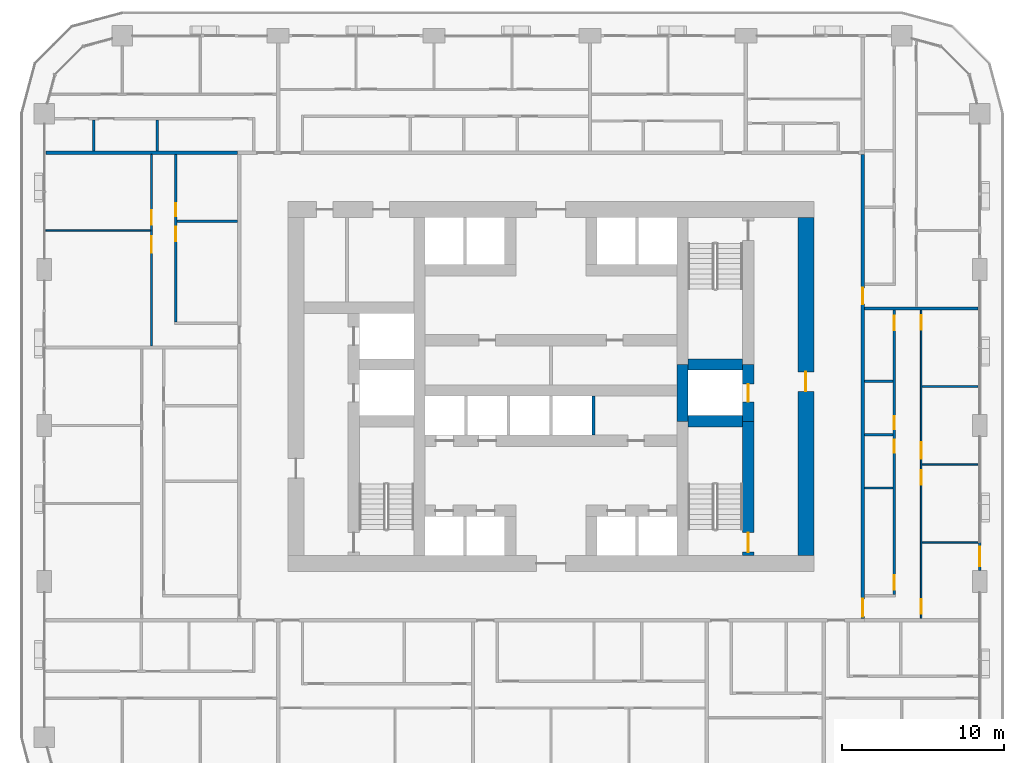
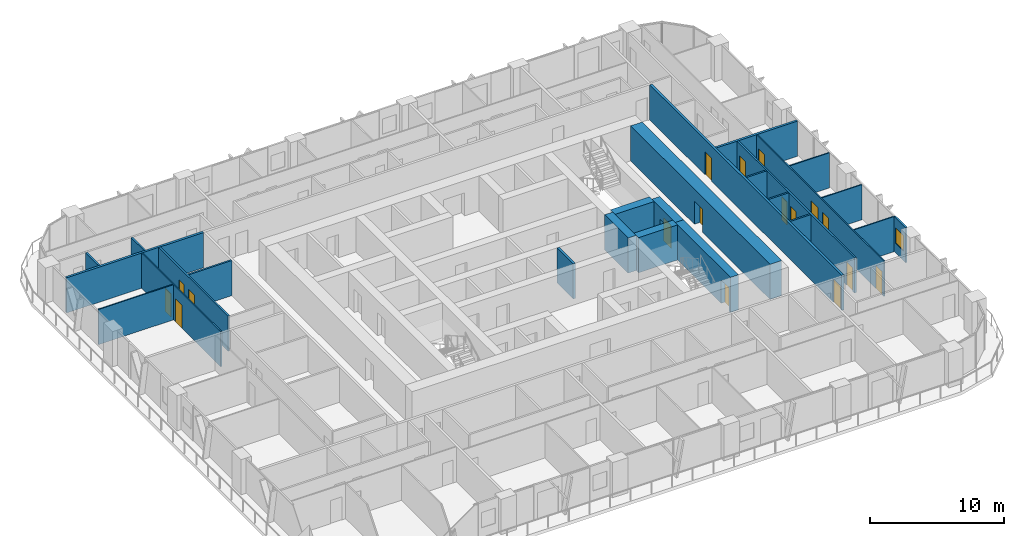
# One storey, part 12 of 21: 25 walls, 17 doors, 1 window, 18 openings.
"""IFC4 building model written with IfcOpenShell, lengths in metres."""

from ifc_helpers import new_model, si_unit, direction, frame, frame_2d, origin, place, context, subcontext, project, spatial, rectangle, extrude, material, layer, layer_set, type_object, element, fill, save


model = new_model("IFC4")

# Units and contexts
model_context = context("Model", 3, precision=1e-05, world=origin(), true_north=direction((0.0, 1.0)))
body_context = subcontext(model_context, "Body", "Model", "MODEL_VIEW")
ifc_project = project(units=[si_unit("LENGTHUNIT", "METRE"), si_unit("AREAUNIT", "SQUARE_METRE"), si_unit("VOLUMEUNIT", "CUBIC_METRE"), si_unit("PLANEANGLEUNIT", "RADIAN"), si_unit("MASSUNIT", "GRAM", prefix="KILO")], contexts=[model_context])

# Site, building, storey
site_placement = place(None, origin())
site = spatial("IfcSite", under=ifc_project, at=site_placement, CompositionType="ELEMENT")
building_placement = place(site_placement, origin())
building = spatial("IfcBuilding", under=site, at=building_placement, Name="Madar Terraces", CompositionType="ELEMENT")
storey_placement = place(building_placement, frame((0.0, 0.0, 29.39990234375)))
storey = spatial("IfcBuildingStorey", under=building, at=storey_placement, Name="L06", CompositionType="ELEMENT", Elevation=29.39990234375)

# Wall
ifc_material_1 = material(Name="Concrete C80/95", Category="concrete")
ifc_layer_1 = layer(ifc_material_1, 0.699951171875)
ifc_layer_set_1 = layer_set([ifc_layer_1], Name="Concrete C80/95 (CIW1 RC wall 700)")
wall_type_1 = type_object("IfcWallType", Name="CIW1 RC wall 700", PredefinedType="SHEAR", material=ifc_layer_set_1)
wall_1_placement = place(storey_placement, frame((39.300048828125, 24.25, 0.0), z_axis=(0.0, 0.0, 1.0), x_axis=(0.0, 1.0, 0.0)))
element("IfcWall", 1, at=wall_1_placement, inside=storey, type_object=wall_type_1, Name="CORE SHAFT WALL", PredefinedType="SHEAR", context=body_context, shape_type="SweptSolid", body=[
    extrude(rectangle(XDim=3.5, YDim=0.699951171875, at=frame_2d((1.75, 0.0))), origin(), (0.0, 0.0, 1.0), 3.2001953125),
])

# Wall, opening, door
wall_2_placement = place(storey_placement, frame((43.35009765625, 16.0, 0.0), z_axis=(0.0, 0.0, 1.0), x_axis=(0.0, 1.0, 0.0)))
wall_2 = element("IfcWall", 2, at=wall_2_placement, inside=storey, type_object=wall_type_1, Name="CORE SHAFT WALL", PredefinedType="SHEAR", context=body_context, shape_type="SweptSolid", body=[
    extrude(rectangle(XDim=8.25, YDim=0.699951171875, at=frame_2d((4.125, 0.0))), origin(), (0.0, 0.0, 1.0), 3.2001953125),
])
opening_1_placement = place(wall_2_placement, frame((0.199951171875, 0.0, 0.0)))
opening_1 = element("IfcOpeningElement", 3, at=opening_1_placement, cuts=wall_2, Name="Opening SD1", PredefinedType="OPENING", context=body_context, shape_type="SweptSolid", body=[
    extrude(rectangle(XDim=1.199951171875, YDim=2.10009765625, at=frame_2d((0.60009765625, 1.050048828125))), frame((0.0, 0.35986328125, 0.0), z_axis=(0.0, -1.0, 0.0), x_axis=(1.0, 0.0, 0.0)), (0.0, 0.0, 1.0), 0.719970703125),
])
ifc_material_2 = material(Name="Steel door leaf", Category="steel")
door_type_1 = type_object("IfcDoorType", Name="Stair door 1200 x 2100", OperationType="NOTDEFINED", PredefinedType="DOOR", material=ifc_material_2)
door_1_placement = place(opening_1_placement, origin())
door_1 = element("IfcDoor", 4, at=door_1_placement, inside=storey, type_object=door_type_1, Name="STAIR DOOR", OperationType="SINGLE_SWING_LEFT", OverallHeight=2.10009765625, OverallWidth=1.199951171875, PredefinedType="DOOR", context=body_context, shape_type="SweptSolid", body=[
    extrude(rectangle(XDim=1.199951171875, YDim=2.10009765625, at=frame_2d((0.60009765625, 1.050048828125))), frame((0.0, 0.02490234375, 0.0), z_axis=(0.0, -1.0, 0.0), x_axis=(1.0, 0.0, 0.0)), (0.0, 0.0, 1.0), 0.050048828125),
])
fill(opening_1, door_1)

wall_3_placement = place(storey_placement, frame((43.35009765625, 24.25, 0.0), z_axis=(0.0, 0.0, 1.0), x_axis=(0.0, 1.0, 0.0)))
wall_3 = element("IfcWall", 5, at=wall_3_placement, inside=storey, type_object=wall_type_1, Name="CORE SHAFT WALL", PredefinedType="SHEAR", context=body_context, shape_type="SweptSolid", body=[
    extrude(rectangle(XDim=3.5, YDim=0.699951171875, at=frame_2d((1.75, 0.0))), origin(), (0.0, 0.0, 1.0), 3.2001953125),
])
opening_2_placement = place(wall_3_placement, frame((1.199951171875, 0.0, 0.0)))
opening_2 = element("IfcOpeningElement", 6, at=opening_2_placement, cuts=wall_3, Name="Opening LD", PredefinedType="OPENING", context=body_context, shape_type="SweptSolid", body=[
    extrude(rectangle(XDim=1.10009765625, YDim=2.10009765625, at=frame_2d((0.550048828125, 1.050048828125))), frame((0.0, 0.35986328125, 0.0), z_axis=(0.0, -1.0, 0.0), x_axis=(1.0, 0.0, 0.0)), (0.0, 0.0, 1.0), 0.719970703125),
])
ifc_material_3 = material(Name="Stainless steel panel", Category="steel")
door_type_2 = type_object("IfcDoorType", Name="Lift landing door 1100 x 2100", OperationType="DOUBLE_DOOR_SLIDING", PredefinedType="DOOR", material=ifc_material_3)
door_2_placement = place(opening_2_placement, origin())
door_2 = element("IfcDoor", 7, at=door_2_placement, inside=storey, type_object=door_type_2, Name="LIFT LANDING DOOR", OperationType="DOUBLE_DOOR_SLIDING", OverallHeight=2.10009765625, OverallWidth=1.10009765625, PredefinedType="DOOR", context=body_context, shape_type="SweptSolid", body=[
    extrude(rectangle(XDim=1.10009765625, YDim=2.10009765625, at=frame_2d((0.550048828125, 1.050048828125))), frame((0.0, 0.02490234375, 0.0), z_axis=(0.0, -1.0, 0.0), x_axis=(1.0, 0.0, 0.0)), (0.0, 0.0, 1.0), 0.050048828125),
])
fill(opening_2, door_2)

# Walls
for number, where, z_axis, x_axis, name in (
    (8, (39.64990234375, 24.25, 0.0), (0.0, 0.0, 1.0), (1.0, 0.0, 0.0), "CORE SHAFT WALL"),
    (9, (39.64990234375, 27.75, 0.0), (0.0, 0.0, 1.0), (1.0, 0.0, 0.0), "CORE SHAFT WALL"),
):
    element("IfcWall", number, at=place(storey_placement, frame(where, z_axis=z_axis, x_axis=x_axis)), inside=storey, type_object=wall_type_1, Name=name, PredefinedType="SHEAR", context=body_context, shape_type="SweptSolid", body=[
        extrude(rectangle(XDim=3.35009765625, YDim=0.699951171875, at=frame_2d((1.675048828125, 0.0))), origin(), (0.0, 0.0, 1.0), 3.2001953125),
    ])

# Wall, opening, door
ifc_material_4 = material(Name="Concrete C80/95", Category="concrete")
ifc_layer_2 = layer(ifc_material_4, 1.0)
ifc_layer_set_2 = layer_set([ifc_layer_2], Name="Concrete C80/95 (CRW1 RC wall 1000)")
wall_type_2 = type_object("IfcWallType", Name="CRW1 RC wall 1000", PredefinedType="SHEAR", material=ifc_layer_set_2)
wall_4_placement = place(storey_placement, frame((46.89990234375, 16.0, 0.0), z_axis=(0.0, 0.0, 1.0), x_axis=(0.0, 1.0, 0.0)))
wall_4 = element("IfcWall", 10, at=wall_4_placement, inside=storey, type_object=wall_type_2, Name="CORE OUTER WALL", PredefinedType="SHEAR", context=body_context, shape_type="SweptSolid", body=[
    extrude(rectangle(XDim=20.800048828125, YDim=1.0, at=frame_2d((10.39990234375, 0.0))), origin(), (0.0, 0.0, 1.0), 3.2001953125),
])
opening_3_placement = place(wall_4_placement, frame((10.10009765625, 0.0, 0.0)))
opening_3 = element("IfcOpeningElement", 11, at=opening_3_placement, cuts=wall_4, Name="Opening SD1", PredefinedType="OPENING", context=body_context, shape_type="SweptSolid", body=[
    extrude(rectangle(XDim=1.199951171875, YDim=2.10009765625, at=frame_2d((0.60009765625, 1.050048828125))), frame((0.0, 0.510009765625, 0.0), z_axis=(0.0, -1.0, 0.0), x_axis=(1.0, 0.0, 0.0)), (0.0, 0.0, 1.0), 1.02001953125),
])
door_3_placement = place(opening_3_placement, origin())
door_3 = element("IfcDoor", 12, at=door_3_placement, inside=storey, type_object=door_type_1, Name="STAIR DOOR", OperationType="SINGLE_SWING_RIGHT", OverallHeight=2.10009765625, OverallWidth=1.199951171875, PredefinedType="DOOR", context=body_context, shape_type="SweptSolid", body=[
    extrude(rectangle(XDim=1.199951171875, YDim=2.10009765625, at=frame_2d((0.60009765625, 1.050048828125))), frame((0.0, 0.02490234375, 0.0), z_axis=(0.0, -1.0, 0.0), x_axis=(1.0, 0.0, 0.0)), (0.0, 0.0, 1.0), 0.050048828125),
])
fill(opening_3, door_3)

# Wall
ifc_material_5 = material(Name="Concrete C40/50", Category="concrete")
ifc_layer_3 = layer(ifc_material_5, 0.199951171875)
ifc_layer_set_3 = layer_set([ifc_layer_3], Name="Core shaft dividing wall 200 C40/50")
wall_type_3 = type_object("IfcWallType", Name="Core shaft dividing wall 200 C40/50", PredefinedType="SOLIDWALL", material=ifc_layer_set_3)
wall_5_placement = place(storey_placement, frame((33.816650390625, 23.39990234375, 0.0), z_axis=(0.0, 0.0, 1.0), x_axis=(0.0, 1.0, 0.0)))
element("IfcWall", 13, at=wall_5_placement, inside=storey, type_object=wall_type_3, Name="SHAFT DIVIDING WALL", PredefinedType="SOLIDWALL", context=body_context, shape_type="SweptSolid", body=[
    extrude(rectangle(XDim=2.400146484375, YDim=0.199951171875, at=frame_2d((1.2001953125, 0.0))), origin(), (0.0, 0.0, 1.0), 3.2001953125),
])

# Wall, opening, window
ifc_material_6 = material(Name="Aluminium composite panel, black, over insulated backing", Category="aluminium")
ifc_layer_4 = layer(ifc_material_6, 0.14990234375)
ifc_layer_set_4 = layer_set([ifc_layer_4], Name="Facade bay panel 150")
wall_type_4 = type_object("IfcWallType", Name="Facade bay panel 150", PredefinedType="SOLIDWALL", material=ifc_layer_set_4)
wall_6_placement = place(storey_placement, frame((57.60009765625, 15.074951171875, 0.0), z_axis=(0.0, 0.0, 1.0), x_axis=(0.0, 1.0, 0.0)))
wall_6 = element("IfcWall", 14, at=wall_6_placement, inside=storey, type_object=wall_type_4, Name="Facade bay panel", PredefinedType="SOLIDWALL", context=body_context, shape_type="SweptSolid", body=[
    extrude(rectangle(XDim=1.72509765625, YDim=0.14990234375, at=frame_2d((0.862548828125, 0.0))), origin(), (0.0, 0.0, 1.0), 3.2001953125),
])
opening_4_placement = place(wall_6_placement, frame((0.262451171875, 0.0, 0.89990234375)))
opening_4 = element("IfcOpeningElement", 15, at=opening_4_placement, cuts=wall_6, Name="Opening W1", PredefinedType="OPENING", context=body_context, shape_type="SweptSolid", body=[
    extrude(rectangle(XDim=1.199951171875, YDim=1.39990234375, at=frame_2d((0.60009765625, 0.699951171875))), frame((0.0, 0.0849609375, 0.0), z_axis=(0.0, -1.0, 0.0), x_axis=(1.0, 0.0, 0.0)), (0.0, 0.0, 1.0), 0.169921875),
])
ifc_material_7 = material(Name="Glass, clear, with black aluminium frame", Category="aluminium")
window_type = type_object("IfcWindowType", Name="Vent window 1200 x 1400", PartitioningType="SINGLE_PANEL", PredefinedType="WINDOW", material=ifc_material_7)
window_placement = place(opening_4_placement, origin())
window = element("IfcWindow", 16, at=window_placement, inside=storey, type_object=window_type, Name="Operable vent window", OverallHeight=1.39990234375, OverallWidth=1.199951171875, PartitioningType="SINGLE_PANEL", PredefinedType="WINDOW", context=body_context, shape_type="SweptSolid", body=[
    extrude(rectangle(XDim=1.199951171875, YDim=1.39990234375, at=frame_2d((0.60009765625, 0.699951171875))), frame((0.0, 0.030029296875, 0.0), z_axis=(0.0, -1.0, 0.0), x_axis=(1.0, 0.0, 0.0)), (0.0, 0.0, 1.0), 0.06005859375),
])
fill(opening_4, window)

# Walls
ifc_material_8 = material(Name="Gypsum board on steel studs", Category="steel")
ifc_layer_5 = layer(ifc_material_8, 0.10009765625)
ifc_layer_set_5 = layer_set([ifc_layer_5], Name="Flat partition 100")
wall_type_5 = type_object("IfcWallType", Name="Flat partition 100", PredefinedType="PARTITIONING", material=ifc_layer_set_5)
for number, where, z_axis, x_axis, name in (
    (17, (54.050048828125, 16.800048828125, 0.0), (0.0, 0.0, 1.0), (1.0, 0.0, 0.0), "Flat partition 100"),
    (18, (54.050048828125, 21.60009765625, 0.0), (0.0, 0.0, 1.0), (1.0, 0.0, 0.0), "Flat partition 100"),
    (19, (54.050048828125, 26.39990234375, 0.0), (0.0, 0.0, 1.0), (1.0, 0.0, 0.0), "Flat partition 100"),
):
    element("IfcWall", number, at=place(storey_placement, frame(where, z_axis=z_axis, x_axis=x_axis)), inside=storey, type_object=wall_type_5, Name=name, PredefinedType="PARTITIONING", context=body_context, shape_type="SweptSolid", body=[
        extrude(rectangle(XDim=3.449951171875, YDim=0.10009765625, at=frame_2d((1.72509765625, 0.0))), origin(), (0.0, 0.0, 1.0), 3.2001953125),
    ])

# Wall, openings, doors
wall_7_placement = place(storey_placement, frame((54.0, 31.10009765625, 0.0), z_axis=(0.0, 0.0, 1.0), x_axis=(0.0, -1.0, 0.0)))
wall_7 = element("IfcWall", 20, at=wall_7_placement, inside=storey, type_object=wall_type_5, Name="Flat partition 100", PredefinedType="PARTITIONING", context=body_context, shape_type="SweptSolid", body=[
    extrude(rectangle(XDim=19.0, YDim=0.10009765625, at=frame_2d((9.5, 0.0))), origin(), (0.0, 0.0, 1.0), 3.2001953125),
])
opening_5_placement = place(wall_7_placement, frame((17.800048828125, 0.0, 0.0)))
opening_5 = element("IfcOpeningElement", 21, at=opening_5_placement, cuts=wall_7, Name="Opening D2", PredefinedType="OPENING", context=body_context, shape_type="SweptSolid", body=[
    extrude(rectangle(XDim=0.89990234375, YDim=2.10009765625, at=frame_2d((0.449951171875, 1.050048828125))), frame((0.0, 0.06005859375, 0.0), z_axis=(0.0, -1.0, 0.0), x_axis=(1.0, 0.0, 0.0)), (0.0, 0.0, 1.0), 0.1201171875),
])
opening_6_placement = place(wall_7_placement, frame((9.85009765625, 0.0, 0.0)))
opening_6 = element("IfcOpeningElement", 22, at=opening_6_placement, cuts=wall_7, Name="Opening D2", PredefinedType="OPENING", context=body_context, shape_type="SweptSolid", body=[
    extrude(rectangle(XDim=0.89990234375, YDim=2.10009765625, at=frame_2d((0.449951171875, 1.050048828125))), frame((0.0, 0.06005859375, 0.0), z_axis=(0.0, -1.0, 0.0), x_axis=(1.0, 0.0, 0.0)), (0.0, 0.0, 1.0), 0.1201171875),
])
opening_7_placement = place(wall_7_placement, frame((8.14990234375, 0.0, 0.0)))
opening_7 = element("IfcOpeningElement", 23, at=opening_7_placement, cuts=wall_7, Name="Opening D3", PredefinedType="OPENING", context=body_context, shape_type="SweptSolid", body=[
    extrude(rectangle(XDim=1.0, YDim=2.10009765625, at=frame_2d((0.5, 1.050048828125))), frame((0.0, 0.06005859375, 0.0), z_axis=(0.0, -1.0, 0.0), x_axis=(1.0, 0.0, 0.0)), (0.0, 0.0, 1.0), 0.1201171875),
])
opening_8_placement = place(wall_7_placement, frame((0.300048828125, 0.0, 0.0)))
opening_8 = element("IfcOpeningElement", 24, at=opening_8_placement, cuts=wall_7, Name="Opening D2", PredefinedType="OPENING", context=body_context, shape_type="SweptSolid", body=[
    extrude(rectangle(XDim=0.89990234375, YDim=2.10009765625, at=frame_2d((0.449951171875, 1.050048828125))), frame((0.0, 0.06005859375, 0.0), z_axis=(0.0, -1.0, 0.0), x_axis=(1.0, 0.0, 0.0)), (0.0, 0.0, 1.0), 0.1201171875),
])
ifc_material_9 = material(Name="Timber door leaf", Category="wood")
door_type_3 = type_object("IfcDoorType", Name="Flat living room door 1000", OperationType="NOTDEFINED", PredefinedType="DOOR", material=ifc_material_9)
door_4_placement = place(opening_7_placement, origin())
door_4 = element("IfcDoor", 25, at=door_4_placement, inside=storey, type_object=door_type_3, Name="Flat living room door 1000", OperationType="SINGLE_SWING_RIGHT", OverallHeight=2.10009765625, OverallWidth=1.0, PredefinedType="DOOR", context=body_context, shape_type="SweptSolid", body=[
    extrude(rectangle(XDim=1.0, YDim=2.10009765625, at=frame_2d((0.5, 1.050048828125))), frame((0.0, 0.02490234375, 0.0), z_axis=(0.0, -1.0, 0.0), x_axis=(1.0, 0.0, 0.0)), (0.0, 0.0, 1.0), 0.050048828125),
])
fill(opening_7, door_4)
ifc_material_10 = material(Name="Timber door leaf", Category="wood")
door_type_4 = type_object("IfcDoorType", Name="Flat room door 900", OperationType="NOTDEFINED", PredefinedType="DOOR", material=ifc_material_10)
door_5_placement = place(opening_5_placement, origin())
door_5 = element("IfcDoor", 26, at=door_5_placement, inside=storey, type_object=door_type_4, Name="Flat room door 900", OperationType="SINGLE_SWING_RIGHT", OverallHeight=2.10009765625, OverallWidth=0.89990234375, PredefinedType="DOOR", context=body_context, shape_type="SweptSolid", body=[
    extrude(rectangle(XDim=0.89990234375, YDim=2.10009765625, at=frame_2d((0.449951171875, 1.050048828125))), frame((0.0, 0.02490234375, 0.0), z_axis=(0.0, -1.0, 0.0), x_axis=(1.0, 0.0, 0.0)), (0.0, 0.0, 1.0), 0.050048828125),
])
fill(opening_5, door_5)
door_6_placement = place(opening_6_placement, origin())
door_6 = element("IfcDoor", 27, at=door_6_placement, inside=storey, type_object=door_type_4, Name="Flat room door 900", OperationType="SINGLE_SWING_LEFT", OverallHeight=2.10009765625, OverallWidth=0.89990234375, PredefinedType="DOOR", context=body_context, shape_type="SweptSolid", body=[
    extrude(rectangle(XDim=0.89990234375, YDim=2.10009765625, at=frame_2d((0.449951171875, 1.050048828125))), frame((0.0, 0.02490234375, 0.0), z_axis=(0.0, -1.0, 0.0), x_axis=(1.0, 0.0, 0.0)), (0.0, 0.0, 1.0), 0.050048828125),
])
fill(opening_6, door_6)
door_7_placement = place(opening_8_placement, origin())
door_7 = element("IfcDoor", 28, at=door_7_placement, inside=storey, type_object=door_type_4, Name="Flat room door 900", OperationType="SINGLE_SWING_LEFT", OverallHeight=2.10009765625, OverallWidth=0.89990234375, PredefinedType="DOOR", context=body_context, shape_type="SweptSolid", body=[
    extrude(rectangle(XDim=0.89990234375, YDim=2.10009765625, at=frame_2d((0.449951171875, 1.050048828125))), frame((0.0, 0.02490234375, 0.0), z_axis=(0.0, -1.0, 0.0), x_axis=(1.0, 0.0, 0.0)), (0.0, 0.0, 1.0), 0.050048828125),
])
fill(opening_8, door_7)

# Wall
wall_8_placement = place(storey_placement, frame((6.550048828125, 36.0, 0.0), z_axis=(0.0, 0.0, 1.0), x_axis=(-1.0, 0.0, 0.0)))
element("IfcWall", 29, at=wall_8_placement, inside=storey, type_object=wall_type_5, Name="Flat partition 100", PredefinedType="PARTITIONING", context=body_context, shape_type="SweptSolid", body=[
    extrude(rectangle(XDim=6.449951171875, YDim=0.10009765625, at=frame_2d((3.22509765625, 0.0))), origin(), (0.0, 0.0, 1.0), 3.2001953125),
])

# Wall, openings, doors
wall_9_placement = place(storey_placement, frame((6.60009765625, 28.89990234375, 0.0), z_axis=(0.0, 0.0, 1.0), x_axis=(0.0, 1.0, 0.0)))
wall_9 = element("IfcWall", 30, at=wall_9_placement, inside=storey, type_object=wall_type_5, Name="Flat partition 100", PredefinedType="PARTITIONING", context=body_context, shape_type="SweptSolid", body=[
    extrude(rectangle(XDim=11.800048828125, YDim=0.10009765625, at=frame_2d((5.89990234375, 0.0))), origin(), (0.0, 0.0, 1.0), 3.2001953125),
])
opening_9_placement = place(wall_9_placement, frame((5.75, 0.0, 0.0)))
opening_9 = element("IfcOpeningElement", 31, at=opening_9_placement, cuts=wall_9, Name="Opening D3", PredefinedType="OPENING", context=body_context, shape_type="SweptSolid", body=[
    extrude(rectangle(XDim=1.0, YDim=2.10009765625, at=frame_2d((0.5, 1.050048828125))), frame((0.0, 0.06005859375, 0.0), z_axis=(0.0, -1.0, 0.0), x_axis=(1.0, 0.0, 0.0)), (0.0, 0.0, 1.0), 0.1201171875),
])
opening_10_placement = place(wall_9_placement, frame((7.449951171875, 0.0, 0.0)))
opening_10 = element("IfcOpeningElement", 32, at=opening_10_placement, cuts=wall_9, Name="Opening D2", PredefinedType="OPENING", context=body_context, shape_type="SweptSolid", body=[
    extrude(rectangle(XDim=0.89990234375, YDim=2.10009765625, at=frame_2d((0.449951171875, 1.050048828125))), frame((0.0, 0.06005859375, 0.0), z_axis=(0.0, -1.0, 0.0), x_axis=(1.0, 0.0, 0.0)), (0.0, 0.0, 1.0), 0.1201171875),
])
door_8_placement = place(opening_9_placement, origin())
door_8 = element("IfcDoor", 33, at=door_8_placement, inside=storey, type_object=door_type_3, Name="Flat living room door 1000", OperationType="SINGLE_SWING_RIGHT", OverallHeight=2.10009765625, OverallWidth=1.0, PredefinedType="DOOR", context=body_context, shape_type="SweptSolid", body=[
    extrude(rectangle(XDim=1.0, YDim=2.10009765625, at=frame_2d((0.5, 1.050048828125))), frame((0.0, 0.02490234375, 0.0), z_axis=(0.0, -1.0, 0.0), x_axis=(1.0, 0.0, 0.0)), (0.0, 0.0, 1.0), 0.050048828125),
])
fill(opening_9, door_8)
door_9_placement = place(opening_10_placement, origin())
door_9 = element("IfcDoor", 34, at=door_9_placement, inside=storey, type_object=door_type_4, Name="Flat room door 900", OperationType="SINGLE_SWING_LEFT", OverallHeight=2.10009765625, OverallWidth=0.89990234375, PredefinedType="DOOR", context=body_context, shape_type="SweptSolid", body=[
    extrude(rectangle(XDim=0.89990234375, YDim=2.10009765625, at=frame_2d((0.449951171875, 1.050048828125))), frame((0.0, 0.02490234375, 0.0), z_axis=(0.0, -1.0, 0.0), x_axis=(1.0, 0.0, 0.0)), (0.0, 0.0, 1.0), 0.050048828125),
])
fill(opening_10, door_9)

ifc_material_11 = material(Name="Lightweight blockwork", Category="masonry")
ifc_layer_6 = layer(ifc_material_11, 0.199951171875)
ifc_layer_set_6 = layer_set([ifc_layer_6], Name="Flat party and entrance wall 200")
wall_type_6 = type_object("IfcWallType", Name="Flat party and entrance wall 200", PredefinedType="PARTITIONING", material=ifc_layer_set_6)
wall_10_placement = place(storey_placement, frame((50.39990234375, 40.699951171875, 0.0), z_axis=(0.0, 0.0, 1.0), x_axis=(0.0, -1.0, 0.0)))
wall_10 = element("IfcWall", 35, at=wall_10_placement, inside=storey, type_object=wall_type_6, Name="Flat party and entrance wall 200", PredefinedType="PARTITIONING", context=body_context, shape_type="SweptSolid", body=[
    extrude(rectangle(XDim=28.599853515625, YDim=0.199951171875, at=frame_2d((14.2998046875, 0.0))), origin(), (0.0, 0.0, 1.0), 3.2001953125),
])
opening_11_placement = place(wall_10_placement, frame((27.375, 0.0, 0.0)))
opening_11 = element("IfcOpeningElement", 36, at=opening_11_placement, cuts=wall_10, Name="Opening D6", PredefinedType="OPENING", context=body_context, shape_type="SweptSolid", body=[
    extrude(rectangle(XDim=1.10009765625, YDim=2.10009765625, at=frame_2d((0.550048828125, 1.050048828125))), frame((0.0, 0.10986328125, 0.0), z_axis=(0.0, -1.0, 0.0), x_axis=(1.0, 0.0, 0.0)), (0.0, 0.0, 1.0), 0.219970703125),
])
opening_12_placement = place(wall_10_placement, frame((8.22509765625, 0.0, 0.0)))
opening_12 = element("IfcOpeningElement", 37, at=opening_12_placement, cuts=wall_10, Name="Opening D1", PredefinedType="OPENING", context=body_context, shape_type="SweptSolid", body=[
    extrude(rectangle(XDim=1.0, YDim=2.10009765625, at=frame_2d((0.5, 1.050048828125))), frame((0.0, 0.10986328125, 0.0), z_axis=(0.0, -1.0, 0.0), x_axis=(1.0, 0.0, 0.0)), (0.0, 0.0, 1.0), 0.219970703125),
])
ifc_material_12 = material(Name="Timber fire door leaf", Category="wood")
door_type_5 = type_object("IfcDoorType", Name="Flat entrance door 1000 FD30S", OperationType="NOTDEFINED", PredefinedType="DOOR", material=ifc_material_12)
door_10_placement = place(opening_12_placement, origin())
door_10 = element("IfcDoor", 38, at=door_10_placement, inside=storey, type_object=door_type_5, Name="Flat entrance door 1000 FD30S", OperationType="SINGLE_SWING_RIGHT", OverallHeight=2.10009765625, OverallWidth=1.0, PredefinedType="DOOR", context=body_context, shape_type="SweptSolid", body=[
    extrude(rectangle(XDim=1.0, YDim=2.10009765625, at=frame_2d((0.5, 1.050048828125))), frame((0.0, 0.02490234375, 0.0), z_axis=(0.0, -1.0, 0.0), x_axis=(1.0, 0.0, 0.0)), (0.0, 0.0, 1.0), 0.050048828125),
])
fill(opening_12, door_10)
ifc_material_13 = material(Name="Timber fire door leaf", Category="wood")
door_type_6 = type_object("IfcDoorType", Name="Flat entrance door 1100 FD30S", OperationType="NOTDEFINED", PredefinedType="DOOR", material=ifc_material_13)
door_11_placement = place(opening_11_placement, origin())
door_11 = element("IfcDoor", 39, at=door_11_placement, inside=storey, type_object=door_type_6, Name="Flat entrance door 1100 FD30S", OperationType="SINGLE_SWING_RIGHT", OverallHeight=2.10009765625, OverallWidth=1.10009765625, PredefinedType="DOOR", context=body_context, shape_type="SweptSolid", body=[
    extrude(rectangle(XDim=1.10009765625, YDim=2.10009765625, at=frame_2d((0.550048828125, 1.050048828125))), frame((0.0, 0.02490234375, 0.0), z_axis=(0.0, -1.0, 0.0), x_axis=(1.0, 0.0, 0.0)), (0.0, 0.0, 1.0), 0.050048828125),
])
fill(opening_11, door_11)

# Walls
wall_11_placement = place(storey_placement, frame((50.5, 31.199951171875, 0.0), z_axis=(0.0, 0.0, 1.0), x_axis=(1.0, 0.0, 0.0)))
element("IfcWall", 40, at=wall_11_placement, inside=storey, type_object=wall_type_6, Name="Flat party and entrance wall 200", PredefinedType="PARTITIONING", context=body_context, shape_type="SweptSolid", body=[
    extrude(rectangle(XDim=7.0, YDim=0.199951171875, at=frame_2d((3.5, 0.0))), origin(), (0.0, 0.0, 1.0), 3.2001953125),
])
wall_12_placement = place(storey_placement, frame((0.10009765625, 40.800048828125, 0.0), z_axis=(0.0, 0.0, 1.0), x_axis=(1.0, 0.0, 0.0)))
element("IfcWall", 41, at=wall_12_placement, inside=storey, type_object=wall_type_6, Name="Flat party and entrance wall 200", PredefinedType="PARTITIONING", context=body_context, shape_type="SweptSolid", body=[
    extrude(rectangle(XDim=11.7998046875, YDim=0.199951171875, at=frame_2d((5.89990234375, 0.0))), origin(), (0.0, 0.0, 1.0), 3.2001953125),
])
ifc_material_14 = material(Name="Lightweight blockwork", Category="masonry")
ifc_layer_7 = layer(ifc_material_14, 0.14990234375)
ifc_layer_set_7 = layer_set([ifc_layer_7], Name="Flat wet-room partition 150")
wall_type_7 = type_object("IfcWallType", Name="Flat wet-room partition 150", PredefinedType="PARTITIONING", material=ifc_layer_set_7)
for number, where, z_axis, x_axis, name in (
    (42, (50.5, 20.14697265625, 0.0), (0.0, 0.0, 1.0), (1.0, 0.0, 0.0), "Flat wet-room partition 150"),
    (43, (50.5, 23.432861328125, 0.0), (0.0, 0.0, 1.0), (1.0, 0.0, 0.0), "Flat wet-room partition 150"),
    (44, (50.5, 26.71875, 0.0), (0.0, 0.0, 1.0), (1.0, 0.0, 0.0), "Flat wet-room partition 150"),
):
    element("IfcWall", number, at=place(storey_placement, frame(where, z_axis=z_axis, x_axis=x_axis)), inside=storey, type_object=wall_type_7, Name=name, PredefinedType="PARTITIONING", context=body_context, shape_type="SweptSolid", body=[
        extrude(rectangle(XDim=1.77490234375, YDim=0.14990234375, at=frame_2d((0.887451171875, 0.0))), origin(), (0.0, 0.0, 1.0), 3.2001953125),
    ])

# Wall, openings, doors
wall_13_placement = place(storey_placement, frame((52.35009765625, 13.574951171875, 0.0), z_axis=(0.0, 0.0, 1.0), x_axis=(0.0, 1.0, 0.0)))
wall_13 = element("IfcWall", 45, at=wall_13_placement, inside=storey, type_object=wall_type_7, Name="Flat wet-room partition 150", PredefinedType="PARTITIONING", context=body_context, shape_type="SweptSolid", body=[
    extrude(rectangle(XDim=17.525146484375, YDim=0.14990234375, at=frame_2d((8.7626953125, 0.0))), origin(), (0.0, 0.0, 1.0), 3.2001953125),
])
opening_13_placement = place(wall_13_placement, frame((0.300048828125, 0.0, 0.0)))
opening_13 = element("IfcOpeningElement", 46, at=opening_13_placement, cuts=wall_13, Name="Opening D2", PredefinedType="OPENING", context=body_context, shape_type="SweptSolid", body=[
    extrude(rectangle(XDim=0.89990234375, YDim=2.10009765625, at=frame_2d((0.449951171875, 1.050048828125))), frame((0.0, 0.0849609375, 0.0), z_axis=(0.0, -1.0, 0.0), x_axis=(1.0, 0.0, 0.0)), (0.0, 0.0, 1.0), 0.169921875),
])
opening_14_placement = place(wall_13_placement, frame((8.73291015625, 0.0, 0.0)))
opening_14 = element("IfcOpeningElement", 47, at=opening_14_placement, cuts=wall_13, Name="Opening D4", PredefinedType="OPENING", context=body_context, shape_type="SweptSolid", body=[
    extrude(rectangle(XDim=0.800048828125, YDim=2.10009765625, at=frame_2d((0.39990234375, 1.050048828125))), frame((0.0, 0.0849609375, 0.0), z_axis=(0.0, -1.0, 0.0), x_axis=(1.0, 0.0, 0.0)), (0.0, 0.0, 1.0), 0.169921875),
])
opening_15_placement = place(wall_13_placement, frame((10.182861328125, 0.0, 0.0)))
opening_15 = element("IfcOpeningElement", 48, at=opening_15_placement, cuts=wall_13, Name="Opening D7", PredefinedType="OPENING", context=body_context, shape_type="SweptSolid", body=[
    extrude(rectangle(XDim=0.800048828125, YDim=2.10009765625, at=frame_2d((0.39990234375, 1.050048828125))), frame((0.0, 0.0849609375, 0.0), z_axis=(0.0, -1.0, 0.0), x_axis=(1.0, 0.0, 0.0)), (0.0, 0.0, 1.0), 0.169921875),
])
opening_16_placement = place(wall_13_placement, frame((16.27490234375, 0.0, 0.0)))
opening_16 = element("IfcOpeningElement", 49, at=opening_16_placement, cuts=wall_13, Name="Opening D5", PredefinedType="OPENING", context=body_context, shape_type="SweptSolid", body=[
    extrude(rectangle(XDim=0.89990234375, YDim=2.10009765625, at=frame_2d((0.449951171875, 1.050048828125))), frame((0.0, 0.0849609375, 0.0), z_axis=(0.0, -1.0, 0.0), x_axis=(1.0, 0.0, 0.0)), (0.0, 0.0, 1.0), 0.169921875),
])
ifc_material_15 = material(Name="Timber door leaf", Category="wood")
door_type_7 = type_object("IfcDoorType", Name="Flat accessible bathroom door 900", OperationType="NOTDEFINED", PredefinedType="DOOR", material=ifc_material_15)
door_12_placement = place(opening_16_placement, origin())
door_12 = element("IfcDoor", 50, at=door_12_placement, inside=storey, type_object=door_type_7, Name="Flat accessible bathroom door 900", OperationType="SINGLE_SWING_RIGHT", OverallHeight=2.10009765625, OverallWidth=0.89990234375, PredefinedType="DOOR", context=body_context, shape_type="SweptSolid", body=[
    extrude(rectangle(XDim=0.89990234375, YDim=2.10009765625, at=frame_2d((0.449951171875, 1.050048828125))), frame((0.0, 0.02490234375, 0.0), z_axis=(0.0, -1.0, 0.0), x_axis=(1.0, 0.0, 0.0)), (0.0, 0.0, 1.0), 0.050048828125),
])
fill(opening_16, door_12)
ifc_material_16 = material(Name="Timber door leaf", Category="wood")
door_type_8 = type_object("IfcDoorType", Name="Flat bathroom door 800", OperationType="NOTDEFINED", PredefinedType="DOOR", material=ifc_material_16)
door_13_placement = place(opening_14_placement, origin())
door_13 = element("IfcDoor", 51, at=door_13_placement, inside=storey, type_object=door_type_8, Name="Flat bathroom door 800", OperationType="SINGLE_SWING_RIGHT", OverallHeight=2.10009765625, OverallWidth=0.800048828125, PredefinedType="DOOR", context=body_context, shape_type="SweptSolid", body=[
    extrude(rectangle(XDim=0.800048828125, YDim=2.10009765625, at=frame_2d((0.39990234375, 1.050048828125))), frame((0.0, 0.02490234375, 0.0), z_axis=(0.0, -1.0, 0.0), x_axis=(1.0, 0.0, 0.0)), (0.0, 0.0, 1.0), 0.050048828125),
])
fill(opening_14, door_13)
door_14_placement = place(opening_13_placement, origin())
door_14 = element("IfcDoor", 52, at=door_14_placement, inside=storey, type_object=door_type_4, Name="Flat room door 900", OperationType="SINGLE_SWING_LEFT", OverallHeight=2.10009765625, OverallWidth=0.89990234375, PredefinedType="DOOR", context=body_context, shape_type="SweptSolid", body=[
    extrude(rectangle(XDim=0.89990234375, YDim=2.10009765625, at=frame_2d((0.449951171875, 1.050048828125))), frame((0.0, 0.02490234375, 0.0), z_axis=(0.0, -1.0, 0.0), x_axis=(1.0, 0.0, 0.0)), (0.0, 0.0, 1.0), 0.050048828125),
])
fill(opening_13, door_14)
ifc_material_17 = material(Name="Timber door leaf", Category="wood")
door_type_9 = type_object("IfcDoorType", Name="Flat utility door 800", OperationType="NOTDEFINED", PredefinedType="DOOR", material=ifc_material_17)
door_15_placement = place(opening_15_placement, origin())
door_15 = element("IfcDoor", 53, at=door_15_placement, inside=storey, type_object=door_type_9, Name="Flat utility door 800", OperationType="SINGLE_SWING_LEFT", OverallHeight=2.10009765625, OverallWidth=0.800048828125, PredefinedType="DOOR", context=body_context, shape_type="SweptSolid", body=[
    extrude(rectangle(XDim=0.800048828125, YDim=2.10009765625, at=frame_2d((0.39990234375, 1.050048828125))), frame((0.0, 0.02490234375, 0.0), z_axis=(0.0, -1.0, 0.0), x_axis=(1.0, 0.0, 0.0)), (0.0, 0.0, 1.0), 0.050048828125),
])
fill(opening_15, door_15)

# Walls
for number, where, z_axis, x_axis, name in (
    (54, (6.951904296875, 40.89990234375, 0.0), (0.0, 0.0, 1.0), (0.0, 1.0, 0.0), "Flat wet-room partition 150"),
    (55, (3.03662109375, 40.89990234375, 0.0), (0.0, 0.0, 1.0), (0.0, 1.0, 0.0), "Flat wet-room partition 150"),
):
    element("IfcWall", number, at=place(storey_placement, frame(where, z_axis=z_axis, x_axis=x_axis)), inside=storey, type_object=wall_type_7, Name=name, PredefinedType="PARTITIONING", context=body_context, shape_type="SweptSolid", body=[
        extrude(rectangle(XDim=1.925048828125, YDim=0.14990234375, at=frame_2d((0.96240234375, 0.0))), origin(), (0.0, 0.0, 1.0), 3.2001953125),
    ])
wall_14_placement = place(storey_placement, frame((11.89990234375, 36.570068359375, 0.0), z_axis=(0.0, 0.0, 1.0), x_axis=(-1.0, 0.0, 0.0)))
element("IfcWall", 56, at=wall_14_placement, inside=storey, type_object=wall_type_7, Name="Flat wet-room partition 150", PredefinedType="PARTITIONING", context=body_context, shape_type="SweptSolid", body=[
    extrude(rectangle(XDim=3.724853515625, YDim=0.14990234375, at=frame_2d((1.8623046875, 0.0))), origin(), (0.0, 0.0, 1.0), 3.2001953125),
])

# Wall, openings, doors
wall_15_placement = place(storey_placement, frame((8.10009765625, 40.699951171875, 0.0), z_axis=(0.0, 0.0, 1.0), x_axis=(0.0, -1.0, 0.0)))
wall_15 = element("IfcWall", 57, at=wall_15_placement, inside=storey, type_object=wall_type_7, Name="Flat wet-room partition 150", PredefinedType="PARTITIONING", context=body_context, shape_type="SweptSolid", body=[
    extrude(rectangle(XDim=10.324951171875, YDim=0.14990234375, at=frame_2d((5.16259765625, 0.0))), origin(), (0.0, 0.0, 1.0), 3.2001953125),
])
opening_17_placement = place(wall_15_placement, frame((4.455078125, 0.0, 0.0)))
opening_17 = element("IfcOpeningElement", 58, at=opening_17_placement, cuts=wall_15, Name="Opening D2", PredefinedType="OPENING", context=body_context, shape_type="SweptSolid", body=[
    extrude(rectangle(XDim=0.89990234375, YDim=2.10009765625, at=frame_2d((0.449951171875, 1.050048828125))), frame((0.0, 0.0849609375, 0.0), z_axis=(0.0, -1.0, 0.0), x_axis=(1.0, 0.0, 0.0)), (0.0, 0.0, 1.0), 0.169921875),
])
opening_18_placement = place(wall_15_placement, frame((3.0048828125, 0.0, 0.0)))
opening_18 = element("IfcOpeningElement", 59, at=opening_18_placement, cuts=wall_15, Name="Opening D4", PredefinedType="OPENING", context=body_context, shape_type="SweptSolid", body=[
    extrude(rectangle(XDim=0.800048828125, YDim=2.10009765625, at=frame_2d((0.39990234375, 1.050048828125))), frame((0.0, 0.0849609375, 0.0), z_axis=(0.0, -1.0, 0.0), x_axis=(1.0, 0.0, 0.0)), (0.0, 0.0, 1.0), 0.169921875),
])
door_16_placement = place(opening_18_placement, origin())
door_16 = element("IfcDoor", 60, at=door_16_placement, inside=storey, type_object=door_type_8, Name="Flat bathroom door 800", OperationType="SINGLE_SWING_RIGHT", OverallHeight=2.10009765625, OverallWidth=0.800048828125, PredefinedType="DOOR", context=body_context, shape_type="SweptSolid", body=[
    extrude(rectangle(XDim=0.800048828125, YDim=2.10009765625, at=frame_2d((0.39990234375, 1.050048828125))), frame((0.0, 0.02490234375, 0.0), z_axis=(0.0, -1.0, 0.0), x_axis=(1.0, 0.0, 0.0)), (0.0, 0.0, 1.0), 0.050048828125),
])
fill(opening_18, door_16)
door_17_placement = place(opening_17_placement, origin())
door_17 = element("IfcDoor", 61, at=door_17_placement, inside=storey, type_object=door_type_4, Name="Flat room door 900", OperationType="SINGLE_SWING_LEFT", OverallHeight=2.10009765625, OverallWidth=0.89990234375, PredefinedType="DOOR", context=body_context, shape_type="SweptSolid", body=[
    extrude(rectangle(XDim=0.89990234375, YDim=2.10009765625, at=frame_2d((0.449951171875, 1.050048828125))), frame((0.0, 0.02490234375, 0.0), z_axis=(0.0, -1.0, 0.0), x_axis=(1.0, 0.0, 0.0)), (0.0, 0.0, 1.0), 0.050048828125),
])
fill(opening_17, door_17)

save(model, "model.ifc")
